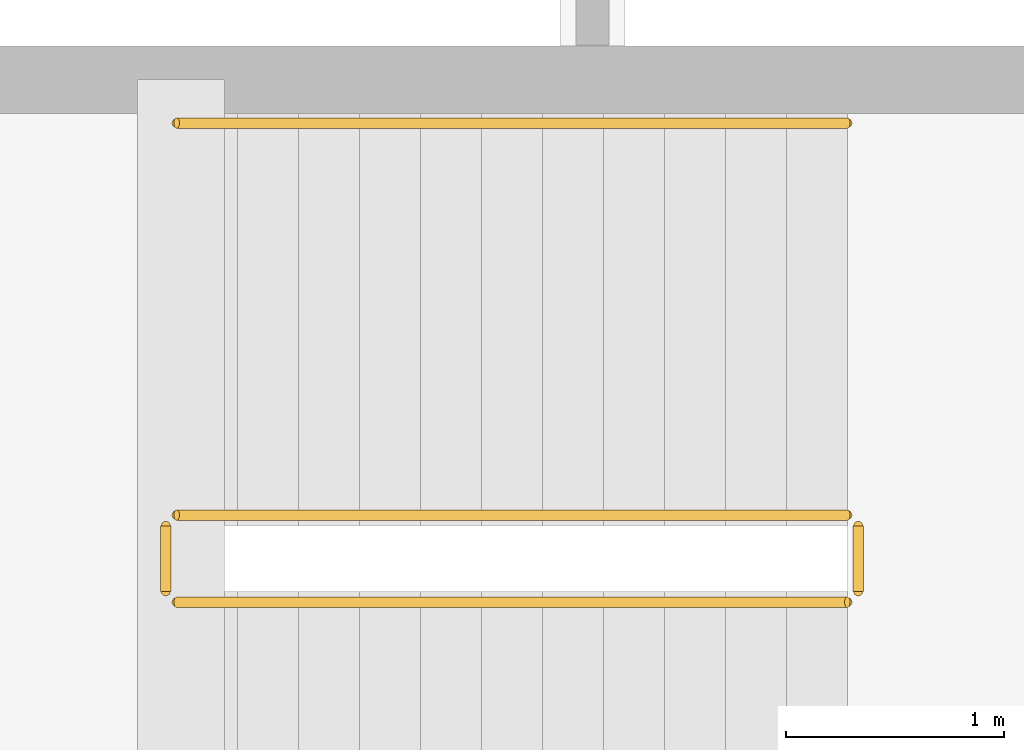
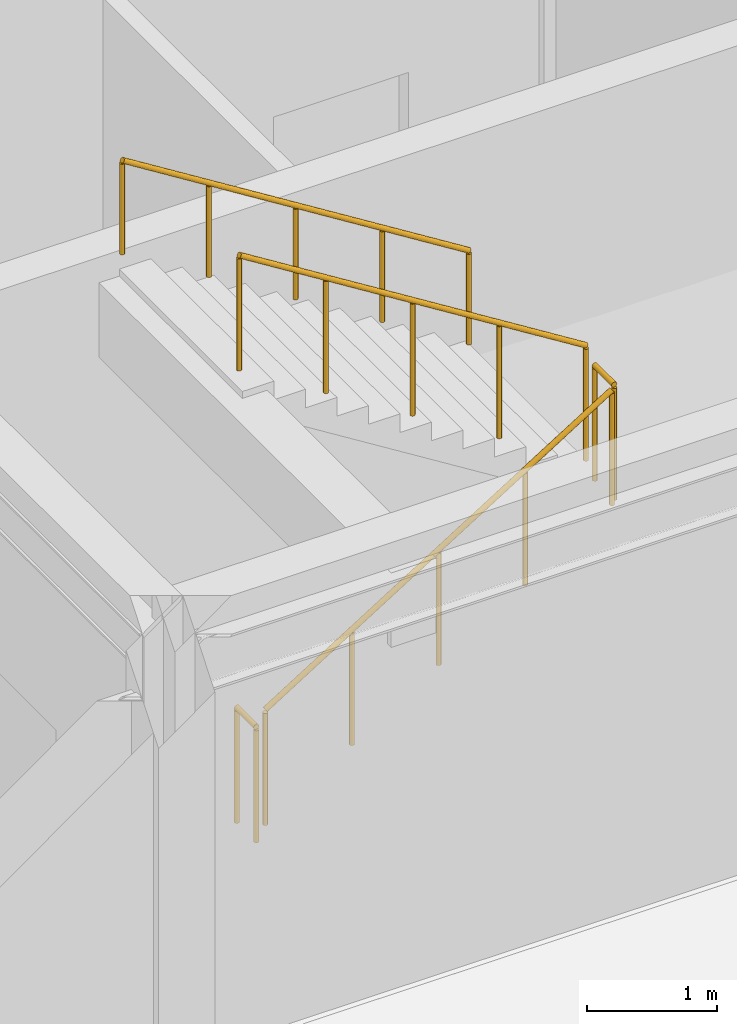
# One storey, part 23 of 26: 5 railings.
"""IFC4 building model written with IfcOpenShell, lengths in metres."""

from ifc_helpers import new_model, si_unit, direction, frame, origin, origin_2d, place, context, subcontext, project, spatial, circle, extrude, material, type_object, element, save


model = new_model("IFC4")

# Units and contexts
model_context = context("Model", 3, precision=1e-05, world=origin(), true_north=direction((0.0, 1.0)))
body_context = subcontext(model_context, "Body", "Model", "MODEL_VIEW")
ifc_project = project(units=[si_unit("LENGTHUNIT", "METRE"), si_unit("AREAUNIT", "SQUARE_METRE"), si_unit("VOLUMEUNIT", "CUBIC_METRE"), si_unit("PLANEANGLEUNIT", "RADIAN"), si_unit("MASSUNIT", "GRAM", prefix="KILO")], contexts=[model_context])

# Site, building, storey
site_placement = place(None, origin())
site = spatial("IfcSite", under=ifc_project, at=site_placement, CompositionType="ELEMENT")
building_placement = place(site_placement, origin())
building = spatial("IfcBuilding", under=site, at=building_placement, Name="Parian Resonance Hall", CompositionType="ELEMENT")
storey_placement = place(building_placement, frame((0.0, 0.0, 19.199951171875)))
storey = spatial("IfcBuildingStorey", under=building, at=storey_placement, Name="L04", CompositionType="ELEMENT", Elevation=19.199951171875)

# Railings
ifc_material_1 = material(Name="Patinated bronze whiplash metalwork")
railing_type_1 = type_object("IfcRailingType", Name="RAIL-STAIR-GRD-1100", PredefinedType="GUARDRAIL", material=ifc_material_1)
railing_1_placement = place(storey_placement, frame((58.840087890625, 75.14990234375, 0.175048828125)))
element("IfcRailing", 1, at=railing_1_placement, inside=storey, type_object=railing_type_1, Name="L04 ST-01 stair guard 1", PredefinedType="GUARDRAIL", context=body_context, shape_type="SweptSolid", body=[
    extrude(circle(Radius=0.02392578125, at=origin_2d()), frame((0.0, 0.0, 1.076171875), z_axis=(0.847979421464, 0.0, 0.530029150871), x_axis=(0.0, 1.0, 0.0)), (0.0, 0.0, 1.0), 3.632080078125),
    extrude(circle(Radius=0.02099609375, at=origin_2d()), origin(), (0.0, 0.0, 1.0), 1.052001953125),
    extrude(circle(Radius=0.02099609375, at=origin_2d()), frame((0.77001953125, 0.0, 0.481201171875)), (0.0, 0.0, 1.0), 1.052001953125),
    extrude(circle(Radius=0.02099609375, at=origin_2d()), frame((1.5400390625, 0.0, 0.96240234375)), (0.0, 0.0, 1.0), 1.052001953125),
    extrude(circle(Radius=0.02099609375, at=origin_2d()), frame((2.309814453125, 0.0, 1.44384765625)), (0.0, 0.0, 1.0), 1.052001953125),
    extrude(circle(Radius=0.02099609375, at=origin_2d()), frame((3.079833984375, 0.0, 1.925048828125)), (0.0, 0.0, 1.0), 1.052001953125),
])
railing_2_placement = place(storey_placement, frame((61.969970703125, 75.199951171875, 2.10009765625)))
element("IfcRailing", 2, at=railing_2_placement, inside=storey, type_object=railing_type_1, Name="L04 ST-01 stair guard 2", PredefinedType="GUARDRAIL", context=body_context, shape_type="SweptSolid", body=[
    extrude(circle(Radius=0.02392578125, at=origin_2d()), frame((0.0, 0.0, 1.076171875), z_axis=(0.0, 1.0, 0.0), x_axis=(-1.0, 0.0, 0.0)), (0.0, 0.0, 1.0), 0.300048828125),
    extrude(circle(Radius=0.02099609375, at=origin_2d()), origin(), (0.0, 0.0, 1.0), 1.052001953125),
    extrude(circle(Radius=0.02099609375, at=origin_2d()), frame((0.0, 0.300048828125, 0.0)), (0.0, 0.0, 1.0), 1.052001953125),
])
railing_3_placement = place(storey_placement, frame((61.919921875, 75.550048828125, 2.275146484375)))
element("IfcRailing", 3, at=railing_3_placement, inside=storey, type_object=railing_type_1, Name="L04 ST-01 stair guard 3", PredefinedType="GUARDRAIL", context=body_context, shape_type="SweptSolid", body=[
    extrude(circle(Radius=0.02392578125, at=origin_2d()), frame((0.0, 0.0, 1.076171875), z_axis=(-0.848009633417, 0.0, 0.529980812513), x_axis=(0.0, -1.0, 0.0)), (0.0, 0.0, 1.0), 3.6318359375),
    extrude(circle(Radius=0.02099609375, at=origin_2d()), origin(), (0.0, 0.0, 1.0), 1.052001953125),
    extrude(circle(Radius=0.02099609375, at=origin_2d()), frame((-0.77001953125, 0.0, 0.481201171875)), (0.0, 0.0, 1.0), 1.052001953125),
    extrude(circle(Radius=0.02099609375, at=origin_2d()), frame((-1.5400390625, 0.0, 0.96240234375)), (0.0, 0.0, 1.0), 1.052001953125),
    extrude(circle(Radius=0.02099609375, at=origin_2d()), frame((-2.309814453125, 0.0, 1.443603515625)), (0.0, 0.0, 1.0), 1.052001953125),
    extrude(circle(Radius=0.02099609375, at=origin_2d()), frame((-3.079833984375, 0.0, 1.9248046875)), (0.0, 0.0, 1.0), 1.052001953125),
])
railing_4_placement = place(storey_placement, frame((58.7900390625, 75.199951171875, 0.0)))
element("IfcRailing", 4, at=railing_4_placement, inside=storey, type_object=railing_type_1, Name="L04 ST-01 stair guard 4", PredefinedType="GUARDRAIL", context=body_context, shape_type="SweptSolid", body=[
    extrude(circle(Radius=0.02392578125, at=origin_2d()), frame((0.0, 0.0, 1.076171875), z_axis=(0.0, 1.0, 0.0), x_axis=(-1.0, 0.0, 0.0)), (0.0, 0.0, 1.0), 0.300048828125),
    extrude(circle(Radius=0.02099609375, at=origin_2d()), origin(), (0.0, 0.0, 1.0), 1.052001953125),
    extrude(circle(Radius=0.02099609375, at=origin_2d()), frame((0.0, 0.300048828125, 0.0)), (0.0, 0.0, 1.0), 1.052001953125),
])
ifc_material_2 = material(Name="Patinated bronze whiplash metalwork")
railing_type_2 = type_object("IfcRailingType", Name="RAIL-STAIR-HR-900", PredefinedType="HANDRAIL", material=ifc_material_2)
railing_5_placement = place(storey_placement, frame((61.919921875, 77.35009765625, 2.275146484375)))
element("IfcRailing", 5, at=railing_5_placement, inside=storey, type_object=railing_type_2, Name="L04 ST-01 stair handrail 2", PredefinedType="HANDRAIL", context=body_context, shape_type="SweptSolid", body=[
    extrude(circle(Radius=0.02392578125, at=origin_2d()), frame((0.0, 0.0, 0.8759765625), z_axis=(-0.848009633417, 0.0, 0.529980812513), x_axis=(0.0, -1.0, 0.0)), (0.0, 0.0, 1.0), 3.6318359375),
    extrude(circle(Radius=0.02099609375, at=origin_2d()), origin(), (0.0, 0.0, 1.0), 0.851806640625),
    extrude(circle(Radius=0.02099609375, at=origin_2d()), frame((-0.77001953125, 0.0, 0.481201171875)), (0.0, 0.0, 1.0), 0.851806640625),
    extrude(circle(Radius=0.02099609375, at=origin_2d()), frame((-1.5400390625, 0.0, 0.96240234375)), (0.0, 0.0, 1.0), 0.851806640625),
    extrude(circle(Radius=0.02099609375, at=origin_2d()), frame((-2.309814453125, 0.0, 1.443603515625)), (0.0, 0.0, 1.0), 0.851806640625),
    extrude(circle(Radius=0.02099609375, at=origin_2d()), frame((-3.079833984375, 0.0, 1.9248046875)), (0.0, 0.0, 1.0), 0.851806640625),
])

save(model, "model.ifc")
